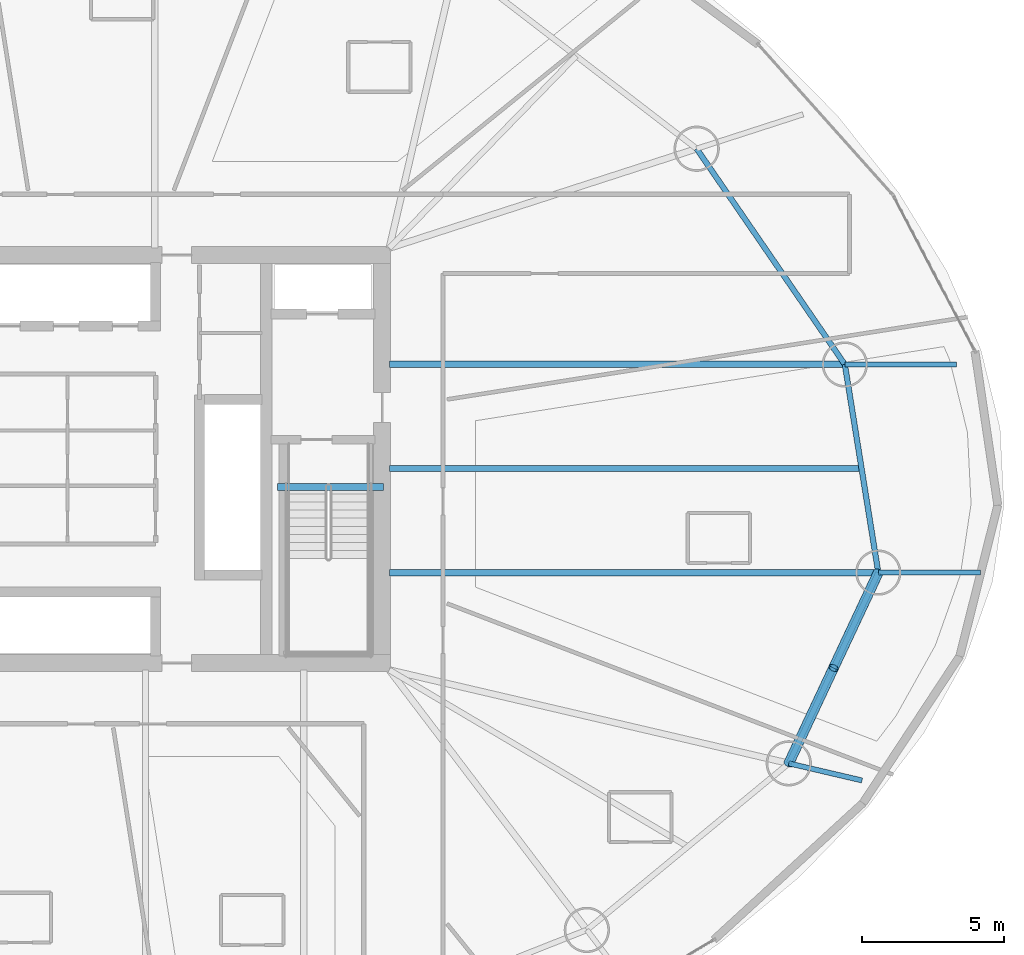
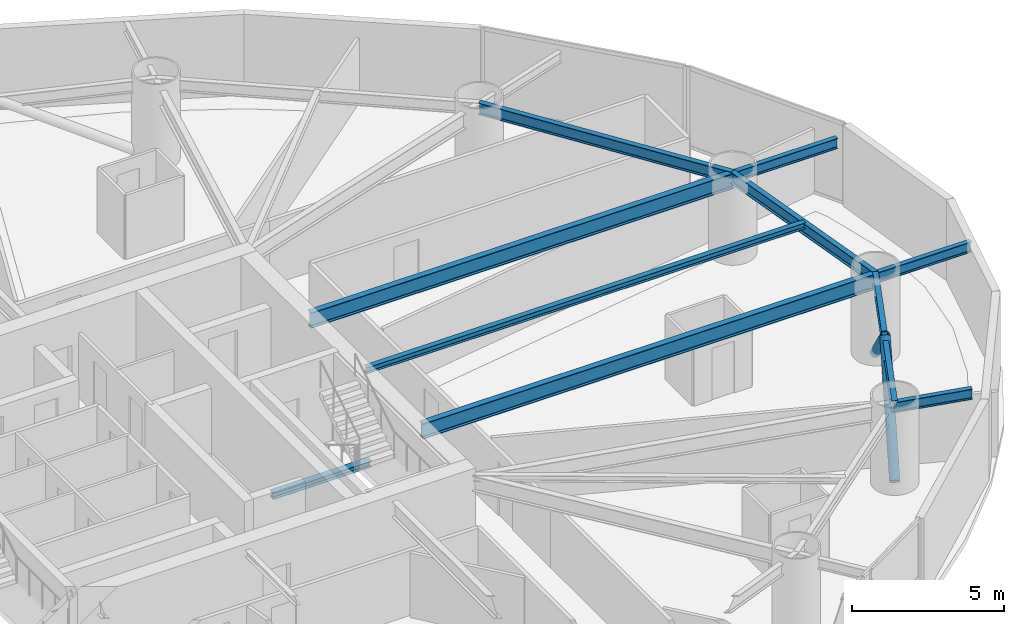
# One storey, part 9 of 25: 10 beams, 2 members.
"""IFC4 building model written with IfcOpenShell, lengths in metres."""

from ifc_helpers import new_model, si_unit, direction, frame, origin, origin_2d, place, context, subcontext, project, spatial, hollow_circle, i_section, extrude, material, material_profile, profile_set, type_object, element, save


model = new_model("IFC4")

# Units and contexts
model_context = context("Model", 3, precision=1e-05, world=origin(), true_north=direction((0.0, 1.0)))
body_context = subcontext(model_context, "Body", "Model", "MODEL_VIEW")
ifc_project = project(units=[si_unit("LENGTHUNIT", "METRE"), si_unit("AREAUNIT", "SQUARE_METRE"), si_unit("VOLUMEUNIT", "CUBIC_METRE"), si_unit("PLANEANGLEUNIT", "RADIAN"), si_unit("MASSUNIT", "GRAM", prefix="KILO")], contexts=[model_context])

# Site, building, storey
site_placement = place(None, origin())
site = spatial("IfcSite", under=ifc_project, at=site_placement, CompositionType="ELEMENT")
building_placement = place(site_placement, origin())
building = spatial("IfcBuilding", under=site, at=building_placement, Name="Bramvorn Convention Spire", CompositionType="ELEMENT")
storey_placement = place(building_placement, frame((0.0, 0.0, 48.39990234375)))
storey = spatial("IfcBuildingStorey", under=building, at=storey_placement, Name="L09", CompositionType="ELEMENT", Elevation=48.39990234375)

# Beams
ifc_material = material(Name="Steel CSA G40.21 Grade 350 (350W)", Category="steel")
ifc_material_profile_1 = material_profile(ifc_material, i_section(OverallWidth=0.201904296875, OverallDepth=0.2470703125, WebThickness=0.00732421875, FlangeThickness=0.010986328125, FilletRadius=0.011962890625, at=origin_2d()))
ifc_profile_set_1 = profile_set([ifc_material_profile_1], Name="Steel CSA G40.21 Grade 350 (350W) - W250X49")
beam_type_1 = type_object("IfcBeamType", Name="BM-W250X49", PredefinedType="JOIST", material=ifc_profile_set_1)
beam_1_placement = place(storey_placement, frame((49.25, 25.666015625, 3.126708984375), z_axis=(1.0, 0.0, 0.0), x_axis=(0.0, 1.0, 0.0)))
element("IfcBeam", 1, at=beam_1_placement, inside=storey, type_object=beam_type_1, Name="L09 composite floor joist 01", PredefinedType="JOIST", context=body_context, shape_type="SweptSolid", body=[
    extrude(i_section(OverallWidth=0.201904296875, OverallDepth=0.2470703125, WebThickness=0.00732421875, FlangeThickness=0.010986328125, FilletRadius=0.011962890625, at=origin_2d()), origin(), (0.0, 0.0, 1.0), 16.67919921875),
])
ifc_material_profile_2 = material_profile(ifc_material, i_section(OverallWidth=0.25390625, OverallDepth=0.2529296875, WebThickness=0.008544921875, FlangeThickness=0.01416015625, FilletRadius=0.011962890625, at=origin_2d()))
ifc_profile_set_2 = profile_set([ifc_material_profile_2], Name="Steel CSA G40.21 Grade 350 (350W) - W250X73")
beam_type_2 = type_object("IfcBeamType", Name="BM-W250X73", PredefinedType="BEAM", material=ifc_profile_set_2)
beam_2_placement = place(storey_placement, frame((45.31005859375, 25.010009765625, -0.12646484375), z_axis=(1.0, 0.0, 0.0), x_axis=(0.0, 1.0, 0.0)))
element("IfcBeam", 2, at=beam_2_placement, inside=storey, type_object=beam_type_2, Name="L09 ST2 stair arrival header beam", PredefinedType="BEAM", context=body_context, shape_type="SweptSolid", body=[
    extrude(i_section(OverallWidth=0.25390625, OverallDepth=0.2529296875, WebThickness=0.008544921875, FlangeThickness=0.01416015625, FilletRadius=0.011962890625, at=origin_2d()), origin(), (0.0, 0.0, 1.0), 3.739990234375),
])
ifc_material_profile_3 = material_profile(ifc_material, i_section(OverallWidth=0.180908203125, OverallDepth=0.4169921875, WebThickness=0.010986328125, FlangeThickness=0.018310546875, FilletRadius=0.01611328125, at=origin_2d()))
ifc_profile_set_3 = profile_set([ifc_material_profile_3], Name="Steel CSA G40.21 Grade 350 (350W) - W410X85")
beam_type_3 = type_object("IfcBeamType", Name="BM-W410X85", PredefinedType="JOIST", material=ifc_profile_set_3)
beam_3_placement = place(storey_placement, frame((66.519775390625, 21.99169921875, 3.026611328125), z_axis=(1.0, 0.0, 0.0), x_axis=(0.0, 1.0, 0.0)))
element("IfcBeam", 3, at=beam_3_placement, inside=storey, type_object=beam_type_3, Name="L09 Sky-Garden cantilever tip girder MC01", PredefinedType="JOIST", context=body_context, shape_type="SweptSolid", body=[
    extrude(i_section(OverallWidth=0.180908203125, OverallDepth=0.4169921875, WebThickness=0.010986328125, FlangeThickness=0.018310546875, FilletRadius=0.01611328125, at=origin_2d()), origin(), (0.0, 0.0, 1.0), 3.6123046875),
])
beam_4_placement = place(storey_placement, frame((65.338623046875, 29.340087890625, 3.026611328125), z_axis=(1.0, 0.0, 0.0), x_axis=(0.0, 1.0, 0.0)))
element("IfcBeam", 4, at=beam_4_placement, inside=storey, type_object=beam_type_3, Name="L09 Sky-Garden cantilever tip girder MC02", PredefinedType="JOIST", context=body_context, shape_type="SweptSolid", body=[
    extrude(i_section(OverallWidth=0.180908203125, OverallDepth=0.4169921875, WebThickness=0.010986328125, FlangeThickness=0.018310546875, FilletRadius=0.01611328125, at=origin_2d()), origin(), (0.0, 0.0, 1.0), 3.949951171875),
])
beam_5_placement = place(storey_placement, frame((63.35888671875, 15.253662109375, 3.026611328125), z_axis=(0.973780131121, -0.227491222322, 0.0), x_axis=(0.227491222322, 0.973780131121, 0.0)))
element("IfcBeam", 5, at=beam_5_placement, inside=storey, type_object=beam_type_3, Name="L09 Sky-Garden cantilever tip girder MC16", PredefinedType="JOIST", context=body_context, shape_type="SweptSolid", body=[
    extrude(i_section(OverallWidth=0.180908203125, OverallDepth=0.4169921875, WebThickness=0.010986328125, FlangeThickness=0.018310546875, FilletRadius=0.01611328125, at=origin_2d()), origin(), (0.0, 0.0, 1.0), 2.655029296875),
])
ifc_material_profile_4 = material_profile(ifc_material, i_section(OverallWidth=0.194091796875, OverallDepth=0.468994140625, WebThickness=0.0126953125, FlangeThickness=0.0205078125, FilletRadius=0.01806640625, at=origin_2d()))
ifc_profile_set_4 = profile_set([ifc_material_profile_4], Name="Steel CSA G40.21 Grade 350 (350W) - W460X106")
beam_type_4 = type_object("IfcBeamType", Name="BM-W460X106", PredefinedType="SPANDREL", material=ifc_profile_set_4)
beam_6_placement = place(storey_placement, frame((66.519775390625, 21.99169921875, 3.015625), z_axis=(-0.158699222824, 0.987326975563, 0.0), x_axis=(-0.987326975563, -0.158699222824, 0.0)))
element("IfcBeam", 6, at=beam_6_placement, inside=storey, type_object=beam_type_4, Name="L09 mega-column ring beam 01", PredefinedType="SPANDREL", context=body_context, shape_type="SweptSolid", body=[
    extrude(i_section(OverallWidth=0.194091796875, OverallDepth=0.468994140625, WebThickness=0.0126953125, FlangeThickness=0.0205078125, FilletRadius=0.01806640625, at=origin_2d()), origin(), (0.0, 0.0, 1.0), 7.442626953125),
])
beam_7_placement = place(storey_placement, frame((65.338623046875, 29.340087890625, 3.015625), z_axis=(-0.566129730789, 0.824316157743, 0.0), x_axis=(-0.824316157743, -0.566129730789, 0.0)))
element("IfcBeam", 7, at=beam_7_placement, inside=storey, type_object=beam_type_4, Name="L09 mega-column ring beam 02", PredefinedType="SPANDREL", context=body_context, shape_type="SweptSolid", body=[
    extrude(i_section(OverallWidth=0.194091796875, OverallDepth=0.468994140625, WebThickness=0.0126953125, FlangeThickness=0.0205078125, FilletRadius=0.01806640625, at=origin_2d()), origin(), (0.0, 0.0, 1.0), 9.244140625),
])
beam_8_placement = place(storey_placement, frame((63.35888671875, 15.253662109375, 3.015625), z_axis=(0.424701955478, 0.9053332254, 0.0), x_axis=(-0.9053332254, 0.424701955478, 0.0)))
element("IfcBeam", 8, at=beam_8_placement, inside=storey, type_object=beam_type_4, Name="L09 mega-column ring beam 16", PredefinedType="SPANDREL", context=body_context, shape_type="SweptSolid", body=[
    extrude(i_section(OverallWidth=0.194091796875, OverallDepth=0.468994140625, WebThickness=0.0126953125, FlangeThickness=0.0205078125, FilletRadius=0.01806640625, at=origin_2d()), origin(), (0.0, 0.0, 1.0), 7.442626953125),
])
ifc_material_profile_5 = material_profile(ifc_material, i_section(OverallWidth=0.22998046875, OverallDepth=0.616943359375, WebThickness=0.01318359375, FlangeThickness=0.022216796875, FilletRadius=0.02001953125, at=origin_2d()))
ifc_profile_set_5 = profile_set([ifc_material_profile_5], Name="Steel CSA G40.21 Grade 350 (350W) - W610X140")
beam_type_5 = type_object("IfcBeamType", Name="BM-W610X140", PredefinedType="BEAM", material=ifc_profile_set_5)
beam_9_placement = place(storey_placement, frame((49.25, 21.99169921875, 2.926513671875), z_axis=(1.0, 0.0, 0.0), x_axis=(0.0, 1.0, 0.0)))
element("IfcBeam", 9, at=beam_9_placement, inside=storey, type_object=beam_type_5, Name="L09 Sky-Garden back-span radial girder MC01", PredefinedType="BEAM", context=body_context, shape_type="SweptSolid", body=[
    extrude(i_section(OverallWidth=0.22998046875, OverallDepth=0.616943359375, WebThickness=0.01318359375, FlangeThickness=0.022216796875, FilletRadius=0.02001953125, at=origin_2d()), origin(), (0.0, 0.0, 1.0), 17.269775390625),
])
beam_10_placement = place(storey_placement, frame((49.25, 29.340087890625, 2.926513671875), z_axis=(1.0, 0.0, 0.0), x_axis=(0.0, 1.0, 0.0)))
element("IfcBeam", 10, at=beam_10_placement, inside=storey, type_object=beam_type_5, Name="L09 Sky-Garden back-span radial girder MC02", PredefinedType="BEAM", context=body_context, shape_type="SweptSolid", body=[
    extrude(i_section(OverallWidth=0.22998046875, OverallDepth=0.616943359375, WebThickness=0.01318359375, FlangeThickness=0.022216796875, FilletRadius=0.02001953125, at=origin_2d()), origin(), (0.0, 0.0, 1.0), 16.088623046875),
])

# Members
ifc_material_profile_6 = material_profile(ifc_material, hollow_circle(Radius=0.177734375, WallThickness=0.015869140625, at=origin_2d()))
ifc_profile_set_6 = profile_set([ifc_material_profile_6], Name="Steel CSA G40.21 Grade 350 (350W) - CHS356X16")
member_type = type_object("IfcMemberType", Name="MBR-CHS356X16", PredefinedType="BRACE", material=ifc_profile_set_6)
for number, where, z_axis, x_axis, name in (
    (11, (63.35888671875, 15.253662109375, 0.0), (0.319854623913, 0.681908513826, 0.65779464754), (-0.905351753695, 0.424662456643, 0.0), "L09 perimeter Gothic lancet brace 16A"),
    (12, (66.519775390625, 21.99169921875, 0.0), (-0.319909760159, -0.681871297566, 0.657806414465), (0.905314694797, -0.424741454752, 0.0), "L09 perimeter Gothic lancet brace 16B"),
):
    element("IfcMember", number, at=place(storey_placement, frame(where, z_axis=z_axis, x_axis=x_axis)), inside=storey, type_object=member_type, Name=name, PredefinedType="BRACE", context=body_context, shape_type="SweptSolid", body=[
        extrude(hollow_circle(Radius=0.177734375, WallThickness=0.015869140625, at=origin_2d()), origin(), (0.0, 0.0, 1.0), 4.940673828125),
    ])

save(model, "model.ifc")
